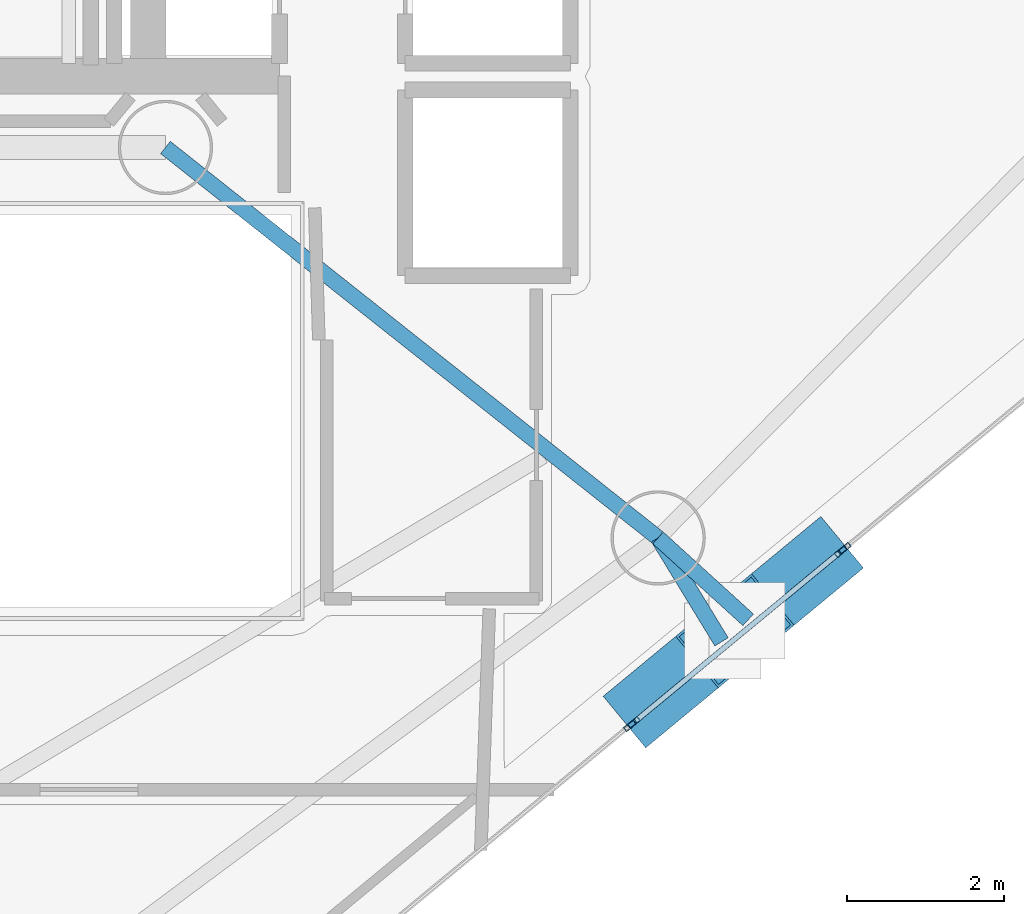
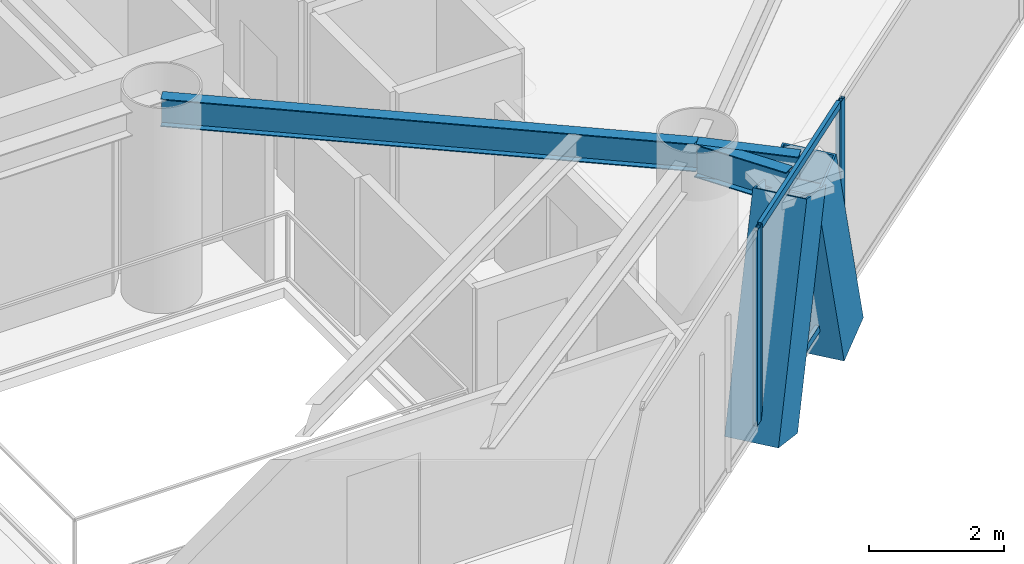
# One storey, part 5 of 21: 8 members, 3 beams, 3 elements without a shape of their own.
"""IFC4 building model written with IfcOpenShell, lengths in metres."""

from ifc_helpers import new_model, si_unit, direction, frame, origin, origin_2d, place, context, subcontext, project, spatial, hollow_rectangle, i_section, extrude, material, layer, layer_set, material_profile, profile_set, type_object, element, aggregate, save


model = new_model("IFC4")

# Units and contexts
model_context = context("Model", 3, precision=1e-05, world=origin(), true_north=direction((0.0, 1.0)))
body_context = subcontext(model_context, "Body", "Model", "MODEL_VIEW")
ifc_project = project(units=[si_unit("LENGTHUNIT", "METRE"), si_unit("AREAUNIT", "SQUARE_METRE"), si_unit("VOLUMEUNIT", "CUBIC_METRE"), si_unit("PLANEANGLEUNIT", "RADIAN"), si_unit("MASSUNIT", "GRAM", prefix="KILO")], contexts=[model_context])

# Site, building, storey
site_placement = place(None, origin())
site = spatial("IfcSite", under=ifc_project, at=site_placement, CompositionType="ELEMENT")
building_placement = place(site_placement, origin())
building = spatial("IfcBuilding", under=site, at=building_placement, Name="Qianvela Tower", CompositionType="ELEMENT")
storey_placement = place(building_placement, frame((0.0, 0.0, 211.39990234375)))
storey = spatial("IfcBuildingStorey", under=building, at=storey_placement, Name="L54", CompositionType="ELEMENT", Elevation=211.39990234375)

# Beams
ifc_material_1 = material(Name="Steel Q355B", Category="steel")
ifc_material_profile_1 = material_profile(ifc_material_1, i_section(OverallWidth=0.199951171875, OverallDepth=0.5, WebThickness=0.010009765625, FlangeThickness=0.01611328125, at=origin_2d()), Name="HN500x200x10x16")
ifc_profile_set_1 = profile_set([ifc_material_profile_1], Name="Steel Q355B")
beam_type_1 = type_object("IfcBeamType", Name="BM-HN500-GIRD", PredefinedType="BEAM", material=ifc_profile_set_1)
beam_placement = place(storey_placement, frame((38.39990234375, 23.85009765625, 3.26806640625), z_axis=(0.783705217119, -0.621132942824, 0.0), x_axis=(0.621132942824, 0.783705217119, 0.0)))
element("IfcBeam", 1, at=beam_placement, inside=storey, type_object=beam_type_1, Name="L54 Radial Primary Floor Girder 6", PredefinedType="BEAM", context=body_context, shape_type="SweptSolid", body=[
    extrude(i_section(OverallWidth=0.199951171875, OverallDepth=0.5, WebThickness=0.010009765625, FlangeThickness=0.01611328125, at=origin_2d()), origin(), (0.0, 0.0, 1.0), 7.996826171875),
])
ifc_material_2 = material(Name="Steel Q355B", Category="steel")
ifc_material_profile_2 = material_profile(ifc_material_2, i_section(OverallWidth=0.199951171875, OverallDepth=0.60009765625, WebThickness=0.010986328125, FlangeThickness=0.01708984375, at=origin_2d()), Name="HN600x200x11x17")
ifc_profile_set_2 = profile_set([ifc_material_profile_2], Name="Steel Q355B")
beam_type_2 = type_object("IfcBeamType", Name="BM-HN600-GIRD", PredefinedType="BEAM", material=ifc_profile_set_2)
for number, where, z_axis, x_axis, name in (
    (2, (44.6669921875, 18.883056640625, 3.218017578125), (0.520786772298, -0.853686791394, 0.0), (0.853686791394, 0.520786772298, 0.0), "L54 Mega-Brace Column Tie Bracket F3-1"),
    (3, (44.6669921875, 18.883056640625, 3.218017578125), (0.739811664107, -0.672814017134, 0.0), (0.672814017134, 0.739811664107, 0.0), "L54 Mega-Brace Column Tie Bracket F3-2"),
):
    element("IfcBeam", number, at=place(storey_placement, frame(where, z_axis=z_axis, x_axis=x_axis)), inside=storey, type_object=beam_type_2, Name=name, PredefinedType="BEAM", context=body_context, shape_type="SweptSolid", body=[
        extrude(i_section(OverallWidth=0.199951171875, OverallDepth=0.60009765625, WebThickness=0.010986328125, FlangeThickness=0.01708984375, at=origin_2d()), origin(), (0.0, 0.0, 1.0), 1.548828125),
    ])

# Curtain wall, members
ifc_material_3 = material(Name="Anodised Architectural Aluminium and Insulated Spandrel Panel", Category="aluminium")
ifc_layer_1 = layer(ifc_material_3, 0.179931640625)
ifc_layer_set_1 = layer_set([ifc_layer_1], Name="Anodised Architectural Aluminium and Insulated Spandrel Panel")
curtain_wall_type_1 = type_object("IfcCurtainWallType", Name="CW-BRACEBAY", PredefinedType="USERDEFINED", material=ifc_layer_set_1)
curtain_wall_1_placement = place(storey_placement, origin())
curtain_wall_1 = element("IfcCurtainWall", 4, at=curtain_wall_1_placement, inside=storey, type_object=curtain_wall_type_1, Name="L54 CW-BRACEBAY Curtain Wall 06B", ObjectType="CURTAIN_WALL_SYSTEM", PredefinedType="USERDEFINED")
ifc_material_4 = material(Name="Anodised Architectural Aluminium 6063-T6", Category="aluminium")
ifc_material_profile_3 = material_profile(ifc_material_4, hollow_rectangle(XDim=0.06494140625, YDim=0.159912109375, WallThickness=0.0048828125, at=origin_2d()), Name="ALU-MULL-65x160")
ifc_profile_set_3 = profile_set([ifc_material_profile_3], Name="Anodised Architectural Aluminium 6063-T6")
member_type_1 = type_object("IfcMemberType", Name="CW-BRACEBAY-MULL", PredefinedType="MULLION", material=ifc_profile_set_3)
member_1_placement = place(storey_placement, frame((44.357421875, 16.535400390625, 0.0), z_axis=(0.0, 0.0, 1.0), x_axis=(-0.63680347093, 0.771026160005, 0.0)))
member_1 = element("IfcMember", 5, at=member_1_placement, type_object=member_type_1, Name="CW-9 mullion 1", PredefinedType="MULLION", context=body_context, shape_type="SweptSolid", body=[
    extrude(hollow_rectangle(XDim=0.06494140625, YDim=0.159912109375, WallThickness=0.0048828125, at=origin_2d()), origin(), (0.0, 0.0, 1.0), 3.52001953125),
])
member_2_placement = place(storey_placement, frame((46.990478515625, 18.710205078125, 0.0), z_axis=(0.0, 0.0, 1.0), x_axis=(-0.63680347093, 0.771026160005, 0.0)))
member_2 = element("IfcMember", 6, at=member_2_placement, type_object=member_type_1, Name="CW-9 mullion 2", PredefinedType="MULLION", context=body_context, shape_type="SweptSolid", body=[
    extrude(hollow_rectangle(XDim=0.06494140625, YDim=0.159912109375, WallThickness=0.0048828125, at=origin_2d()), origin(), (0.0, 0.0, 1.0), 3.52001953125),
])
ifc_material_5 = material(Name="Anodised Architectural Aluminium 6063-T6", Category="aluminium")
ifc_material_profile_4 = material_profile(ifc_material_5, hollow_rectangle(XDim=0.06494140625, YDim=0.1298828125, WallThickness=0.00439453125, at=origin_2d()), Name="ALU-TRAN-65x130")
ifc_profile_set_4 = profile_set([ifc_material_profile_4], Name="Anodised Architectural Aluminium 6063-T6")
member_type_2 = type_object("IfcMemberType", Name="CW-BRACEBAY-TRAN", PredefinedType="USERDEFINED", material=ifc_profile_set_4)
member_3_placement = place(storey_placement, frame((44.382568359375, 16.55615234375, 0.03271484375), z_axis=(0.771033313115, 0.636794810019, 0.0), x_axis=(-0.636794810019, 0.771033313115, 0.0)))
member_3 = element("IfcMember", 7, at=member_3_placement, type_object=member_type_2, Name="CW-9 transom 1.1", ObjectType="TRANSOM", PredefinedType="USERDEFINED", context=body_context, shape_type="SweptSolid", body=[
    extrude(hollow_rectangle(XDim=0.06494140625, YDim=0.1298828125, WallThickness=0.00439453125, at=origin_2d()), origin(), (0.0, 0.0, 1.0), 3.35009765625),
])
member_4_placement = place(storey_placement, frame((44.382568359375, 16.55615234375, 3.487548828125), z_axis=(0.771033313115, 0.636794810019, 0.0), x_axis=(-0.636794810019, 0.771033313115, 0.0)))
member_4 = element("IfcMember", 8, at=member_4_placement, type_object=member_type_2, Name="CW-9 transom 1.2", ObjectType="TRANSOM", PredefinedType="USERDEFINED", context=body_context, shape_type="SweptSolid", body=[
    extrude(hollow_rectangle(XDim=0.06494140625, YDim=0.1298828125, WallThickness=0.00439453125, at=origin_2d()), origin(), (0.0, 0.0, 1.0), 3.35009765625),
])
aggregate(curtain_wall_1, [member_1, member_2, member_3, member_4])

# Curtain wall, member
ifc_material_6 = material(Name="Anodised Architectural Aluminium and Low-E Glass", Category="aluminium")
ifc_layer_2 = layer(ifc_material_6, 0.159912109375)
ifc_layer_set_2 = layer_set([ifc_layer_2], Name="Anodised Architectural Aluminium and Low-E Glass")
curtain_wall_type_2 = type_object("IfcCurtainWallType", Name="CW-COLIV-Z56", PredefinedType="USERDEFINED", material=ifc_layer_set_2)
curtain_wall_2_placement = place(storey_placement, origin())
curtain_wall_2 = element("IfcCurtainWall", 9, at=curtain_wall_2_placement, inside=storey, type_object=curtain_wall_type_2, Name="L54 CW-COLIV-Z56 Curtain Wall 06A", ObjectType="CURTAIN_WALL_SYSTEM", PredefinedType="USERDEFINED")
ifc_material_7 = material(Name="Anodised Architectural Aluminium 6063-T6", Category="aluminium")
ifc_material_profile_5 = material_profile(ifc_material_7, hollow_rectangle(XDim=0.06494140625, YDim=0.159912109375, WallThickness=0.0048828125, at=origin_2d()), Name="ALU-MULL-65x160")
ifc_profile_set_5 = profile_set([ifc_material_profile_5], Name="Anodised Architectural Aluminium 6063-T6")
member_type_3 = type_object("IfcMemberType", Name="CW-COLIV-Z56-MULL", PredefinedType="MULLION", material=ifc_profile_set_5)
member_5_placement = place(storey_placement, frame((44.307373046875, 16.493896484375, 0.0), z_axis=(0.0, 0.0, 1.0), x_axis=(-0.636795481319, 0.771032758689, 0.0)))
member_5 = element("IfcMember", 10, at=member_5_placement, type_object=member_type_3, Name="CW-5 mullion 3", PredefinedType="MULLION", context=body_context, shape_type="SweptSolid", body=[
    extrude(hollow_rectangle(XDim=0.06494140625, YDim=0.159912109375, WallThickness=0.0048828125, at=origin_2d()), origin(), (0.0, 0.0, 1.0), 3.52001953125),
])
aggregate(curtain_wall_2, [member_5])

curtain_wall_3_placement = place(storey_placement, origin())
curtain_wall_3 = element("IfcCurtainWall", 11, at=curtain_wall_3_placement, inside=storey, type_object=curtain_wall_type_2, Name="L54 CW-COLIV-Z56 Curtain Wall 06C", ObjectType="CURTAIN_WALL_SYSTEM", PredefinedType="USERDEFINED")
member_6_placement = place(storey_placement, frame((47.040771484375, 18.75146484375, 0.0), z_axis=(0.0, 0.0, 1.0), x_axis=(-0.636793207665, 0.771034636493, 0.0)))
member_6 = element("IfcMember", 12, at=member_6_placement, type_object=member_type_3, Name="CW-5 mullion 1", PredefinedType="MULLION", context=body_context, shape_type="SweptSolid", body=[
    extrude(hollow_rectangle(XDim=0.06494140625, YDim=0.159912109375, WallThickness=0.0048828125, at=origin_2d()), origin(), (0.0, 0.0, 1.0), 3.52001953125),
])
aggregate(curtain_wall_3, [member_6])

# Members
ifc_material_8 = material(Name="Steel Q420GJC", Category="steel")
ifc_material_profile_6 = material_profile(ifc_material_8, hollow_rectangle(XDim=0.85009765625, YDim=0.85009765625, WallThickness=0.031982421875, at=origin_2d()), Name="MBOX-850x850x32")
ifc_profile_set_6 = profile_set([ifc_material_profile_6], Name="Steel Q420GJC")
member_type_4 = type_object("IfcMemberType", Name="MBR-MBRACE-850", PredefinedType="BRACE", material=ifc_profile_set_6)
member_7_placement = place(storey_placement, frame((44.55029296875, 16.79833984375, -0.48193359375), z_axis=(0.237429694952, 0.196058418121, 0.951413809359), x_axis=(-0.636728636292, 0.771087961082, 0.0)))
element("IfcMember", 13, at=member_7_placement, inside=storey, type_object=member_type_4, Name="L54 Tier 9 Exterior Mega-Brace F3A", PredefinedType="BRACE", context=body_context, shape_type="SweptSolid", body=[
    extrude(hollow_rectangle(XDim=0.85009765625, YDim=0.85009765625, WallThickness=0.031982421875, at=origin_2d()), origin(), (0.0, 0.0, 1.0), 3.888916015625),
])
member_8_placement = place(storey_placement, frame((46.69482421875, 18.569580078125, -0.48193359375), z_axis=(-0.227763948812, -0.188111714159, 0.955372998686), x_axis=(0.636798719154, -0.771030084552, 0.0)))
element("IfcMember", 14, at=member_8_placement, inside=storey, type_object=member_type_4, Name="L54 Tier 9 Exterior Mega-Brace F3B", PredefinedType="BRACE", context=body_context, shape_type="SweptSolid", body=[
    extrude(hollow_rectangle(XDim=0.85009765625, YDim=0.85009765625, WallThickness=0.031982421875, at=origin_2d()), origin(), (0.0, 0.0, 1.0), 3.872802734375),
])

save(model, "model.ifc")
